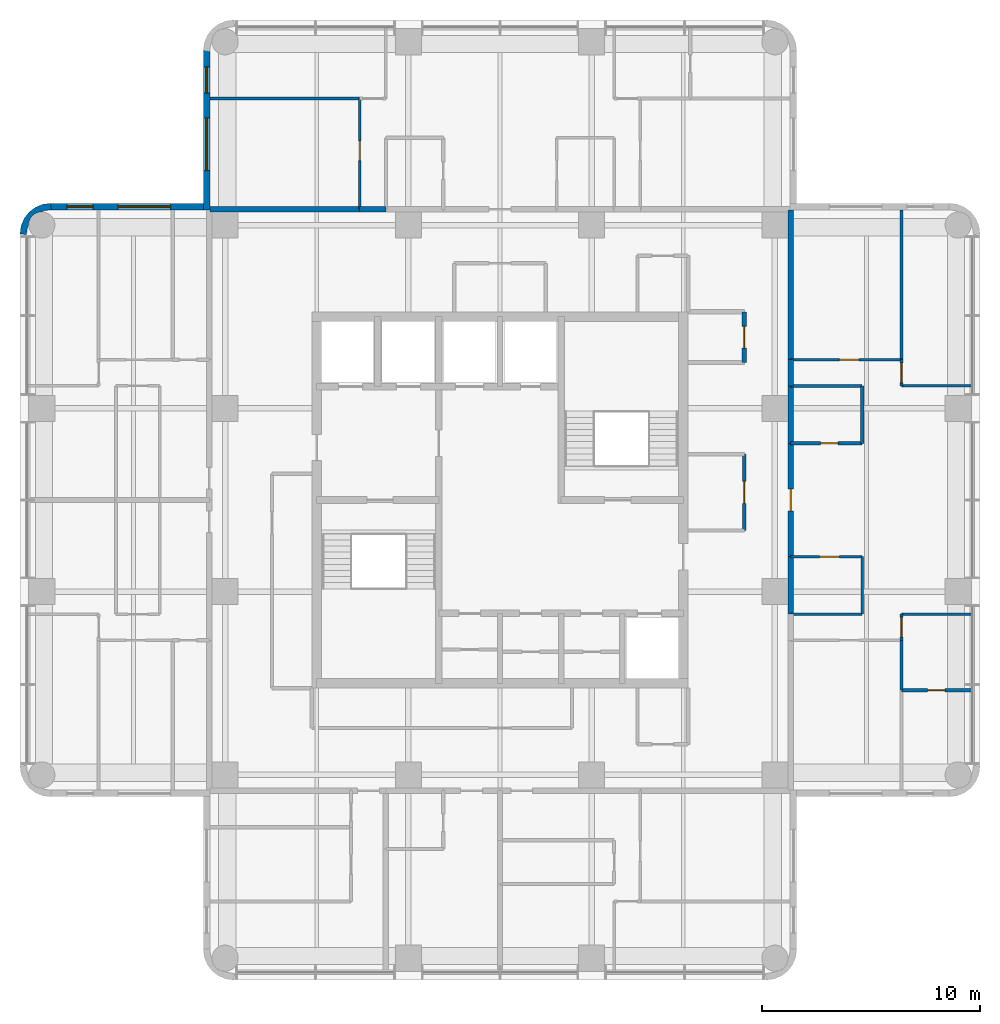
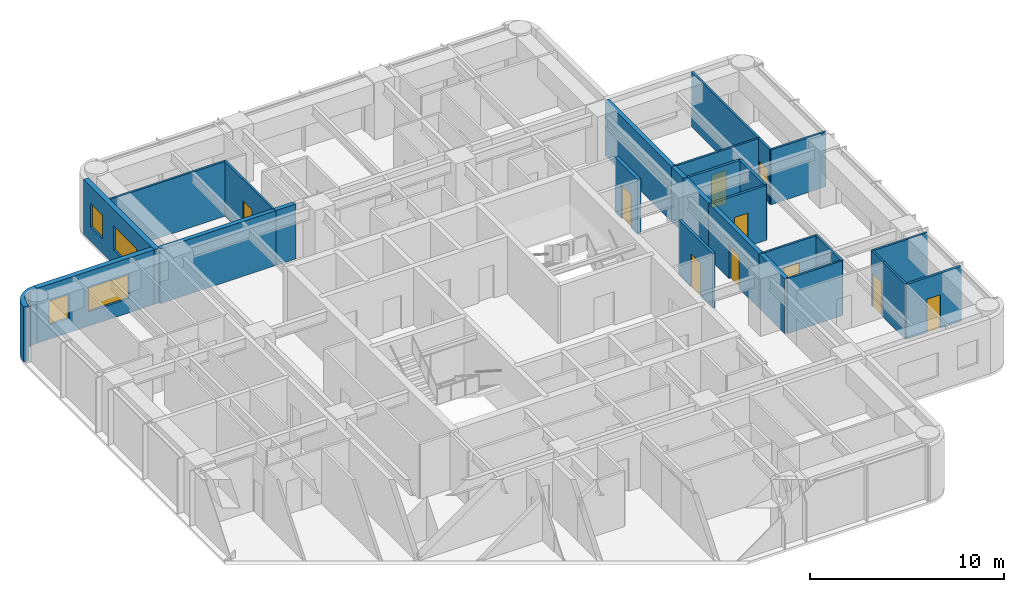
# One storey, part 7 of 10: 28 walls, 10 doors, 4 windows, 14 openings.
"""IFC4 building model written with IfcOpenShell, lengths in metres."""

from ifc_helpers import new_model, si_unit, direction, frame, frame_2d, origin, place, context, subcontext, project, spatial, polyline, rectangle, outline, extrude, material, layer, layer_set, type_object, element, fill, save


model = new_model("IFC4")

# Units and contexts
model_context = context("Model", 3, precision=1e-05, world=origin(), true_north=direction((0.0, 1.0)))
body_context = subcontext(model_context, "Body", "Model", "MODEL_VIEW")
ifc_project = project(units=[si_unit("LENGTHUNIT", "METRE"), si_unit("AREAUNIT", "SQUARE_METRE"), si_unit("VOLUMEUNIT", "CUBIC_METRE"), si_unit("PLANEANGLEUNIT", "RADIAN"), si_unit("MASSUNIT", "GRAM", prefix="KILO")], contexts=[model_context])

# Site, building, storey
site_placement = place(None, origin())
site = spatial("IfcSite", under=ifc_project, at=site_placement, CompositionType="ELEMENT")
building_placement = place(site_placement, origin())
building = spatial("IfcBuilding", under=site, at=building_placement, Name="Torre Alcanfor", CompositionType="ELEMENT")
storey_placement = place(building_placement, frame((0.0, 0.0, 264.89990234375)))
storey = spatial("IfcBuildingStorey", under=building, at=storey_placement, Name="L69", CompositionType="ELEMENT", Elevation=264.89990234375)

# Walls
ifc_material_1 = material(Name="Concrete block masonry, hollow blocks NMX-C-404 9 MPa", Category="masonry")
ifc_layer_1 = layer(ifc_material_1, 0.25)
ifc_layer_set_1 = layer_set([ifc_layer_1], Name="Apartment entrance wall 250 EI 60")
wall_type_1 = type_object("IfcWallType", Name="Apartment entrance wall 250 EI 60", PredefinedType="PARTITIONING", material=ifc_layer_set_1)
wall_1_placement = place(storey_placement, frame((22.970947265625, 42.72509765625, 0.0), z_axis=(0.0, 0.0, 1.0), x_axis=(1.0, 0.0, 0.0)))
element("IfcWall", 1, at=wall_1_placement, inside=storey, type_object=wall_type_1, Name="Partition L69-CORR / L69-NX-LIVING", PredefinedType="PARTITIONING", context=body_context, shape_type="SweptSolid", body=[
    extrude(rectangle(XDim=1.199951171875, YDim=0.25, at=frame_2d((0.60009765625, 0.0))), origin(), (0.0, 0.0, 1.0), 3.4501953125),
])
wall_2_placement = place(storey_placement, frame((16.10009765625, 42.72509765625, 0.0), z_axis=(0.0, 0.0, 1.0), x_axis=(1.0, 0.0, 0.0)))
element("IfcWall", 2, at=wall_2_placement, inside=storey, type_object=wall_type_1, Name="Partition L69-CORR / L69-NX-BED2", PredefinedType="PARTITIONING", context=body_context, shape_type="SweptSolid", body=[
    extrude(rectangle(XDim=6.870849609375, YDim=0.25, at=frame_2d((3.435546875, 0.0))), origin(), (0.0, 0.0, 1.0), 3.4501953125),
])

# Wall, opening, door
wall_3_placement = place(storey_placement, frame((42.72509765625, 32.0, 0.0), z_axis=(0.0, 0.0, 1.0), x_axis=(0.0, -1.0, 0.0)))
wall_3 = element("IfcWall", 3, at=wall_3_placement, inside=storey, type_object=wall_type_1, Name="Partition L69-CORR / L69-EX-ZAG", PredefinedType="PARTITIONING", context=body_context, shape_type="SweptSolid", body=[
    extrude(rectangle(XDim=5.199951171875, YDim=0.25, at=frame_2d((2.60009765625, 0.0))), origin(), (0.0, 0.0, 1.0), 3.4501953125),
])
opening_1_placement = place(wall_3_placement, frame((2.10009765625, 0.0, 0.0)))
opening_1 = element("IfcOpeningElement", 4, at=opening_1_placement, cuts=wall_3, Name="Opening D-A1", PredefinedType="OPENING", context=body_context, shape_type="SweptSolid", body=[
    extrude(rectangle(XDim=1.0, YDim=2.10009765625, at=frame_2d((0.5, 1.050048828125))), frame((0.0, 0.135009765625, 0.0), z_axis=(0.0, -1.0, 0.0), x_axis=(1.0, 0.0, 0.0)), (0.0, 0.0, 1.0), 0.27001953125),
])
ifc_material_2 = material(Name="Galvanised steel sheet ASTM A653", Category="steel")
door_type_1 = type_object("IfcDoorType", Name="Apartment entrance door FD60 1000x2100", OperationType="SINGLE_SWING_LEFT", PredefinedType="DOOR", material=ifc_material_2)
door_1_placement = place(opening_1_placement, origin())
door_1 = element("IfcDoor", 5, at=door_1_placement, inside=storey, type_object=door_type_1, Name="Apartment entrance L69-EX", OperationType="SINGLE_SWING_LEFT", OverallHeight=2.10009765625, OverallWidth=1.0, PredefinedType="DOOR", context=body_context, shape_type="SweptSolid", body=[
    extrude(rectangle(XDim=1.0, YDim=2.10009765625, at=frame_2d((0.5, 1.050048828125))), frame((0.0, 0.02490234375, 0.0), z_axis=(0.0, -1.0, 0.0), x_axis=(1.0, 0.0, 0.0)), (0.0, 0.0, 1.0), 0.050048828125),
])
fill(opening_1, door_1)

# Walls
wall_4_placement = place(storey_placement, frame((42.72509765625, 34.62890625, 0.0), z_axis=(0.0, 0.0, 1.0), x_axis=(0.0, -1.0, 0.0)))
element("IfcWall", 6, at=wall_4_placement, inside=storey, type_object=wall_type_1, Name="Partition L69-CORR / L69-EX-BATH2", PredefinedType="PARTITIONING", context=body_context, shape_type="SweptSolid", body=[
    extrude(rectangle(XDim=2.62890625, YDim=0.25, at=frame_2d((1.314453125, 0.0))), origin(), (0.0, 0.0, 1.0), 3.4501953125),
])
wall_5_placement = place(storey_placement, frame((42.72509765625, 26.800048828125, 0.0), z_axis=(0.0, 0.0, 1.0), x_axis=(0.0, -1.0, 0.0)))
element("IfcWall", 7, at=wall_5_placement, inside=storey, type_object=wall_type_1, Name="Partition L69-CORR / L69-EX-KITCHEN", PredefinedType="PARTITIONING", context=body_context, shape_type="SweptSolid", body=[
    extrude(rectangle(XDim=2.629150390625, YDim=0.25, at=frame_2d((1.314453125, 0.0))), origin(), (0.0, 0.0, 1.0), 3.4501953125),
])
wall_6_placement = place(storey_placement, frame((42.72509765625, 35.8291015625, 0.0), z_axis=(0.0, 0.0, 1.0), x_axis=(0.0, -1.0, 0.0)))
element("IfcWall", 8, at=wall_6_placement, inside=storey, type_object=wall_type_1, Name="Partition L69-CORR / L69-EX-LIVING", PredefinedType="PARTITIONING", context=body_context, shape_type="SweptSolid", body=[
    extrude(rectangle(XDim=1.2001953125, YDim=0.25, at=frame_2d((0.60009765625, 0.0))), origin(), (0.0, 0.0, 1.0), 3.4501953125),
])
wall_7_placement = place(storey_placement, frame((42.72509765625, 42.699951171875, 0.0), z_axis=(0.0, 0.0, 1.0), x_axis=(0.0, -1.0, 0.0)))
element("IfcWall", 9, at=wall_7_placement, inside=storey, type_object=wall_type_1, Name="Partition L69-CORR / L69-EX-BED2", PredefinedType="PARTITIONING", context=body_context, shape_type="SweptSolid", body=[
    extrude(rectangle(XDim=6.870849609375, YDim=0.25, at=frame_2d((3.435546875, 0.0))), origin(), (0.0, 0.0, 1.0), 3.4501953125),
])

# Wall, opening, door
ifc_material_3 = material(Name="Gypsum board on steel studs", Category="steel")
ifc_layer_2 = layer(ifc_material_3, 0.1201171875)
ifc_layer_set_2 = layer_set([ifc_layer_2], Name="Apartment partition 120")
wall_type_2 = type_object("IfcWallType", Name="Apartment partition 120", PredefinedType="PARTITIONING", material=ifc_layer_set_2)
wall_8_placement = place(storey_placement, frame((22.970947265625, 42.72509765625, 0.0), z_axis=(0.0, 0.0, 1.0), x_axis=(0.0, 1.0, 0.0)))
wall_8 = element("IfcWall", 10, at=wall_8_placement, inside=storey, type_object=wall_type_2, Name="Partition L69-NX-LIVING / L69-NX-BED2", PredefinedType="PARTITIONING", context=body_context, shape_type="SweptSolid", body=[
    extrude(rectangle(XDim=5.074951171875, YDim=0.1201171875, at=frame_2d((2.53759765625, 0.0))), origin(), (0.0, 0.0, 1.0), 3.4501953125),
])
opening_2_placement = place(wall_8_placement, frame((2.22509765625, 0.0, 0.0)))
opening_2 = element("IfcOpeningElement", 11, at=opening_2_placement, cuts=wall_8, Name="Opening D-R1", PredefinedType="OPENING", context=body_context, shape_type="SweptSolid", body=[
    extrude(rectangle(XDim=0.89990234375, YDim=2.10009765625, at=frame_2d((0.449951171875, 1.050048828125))), frame((0.0, 0.070068359375, 0.0), z_axis=(0.0, -1.0, 0.0), x_axis=(1.0, 0.0, 0.0)), (0.0, 0.0, 1.0), 0.14013671875),
])
ifc_material_4 = material(Name="Timber", Category="wood")
door_type_2 = type_object("IfcDoorType", Name="Internal door 900x2100", OperationType="SINGLE_SWING_LEFT", PredefinedType="DOOR", material=ifc_material_4)
door_2_placement = place(opening_2_placement, origin())
door_2 = element("IfcDoor", 12, at=door_2_placement, inside=storey, type_object=door_type_2, Name="Door L69-NX bed2", OperationType="SINGLE_SWING_RIGHT", OverallHeight=2.10009765625, OverallWidth=0.89990234375, PredefinedType="DOOR", context=body_context, shape_type="SweptSolid", body=[
    extrude(rectangle(XDim=0.89990234375, YDim=2.10009765625, at=frame_2d((0.449951171875, 1.050048828125))), frame((0.0, 0.02490234375, 0.0), z_axis=(0.0, -1.0, 0.0), x_axis=(1.0, 0.0, 0.0)), (0.0, 0.0, 1.0), 0.050048828125),
])
fill(opening_2, door_2)

# Wall
wall_9_placement = place(storey_placement, frame((22.970947265625, 47.800048828125, 0.0), z_axis=(0.0, 0.0, 1.0), x_axis=(-1.0, 0.0, 0.0)))
element("IfcWall", 13, at=wall_9_placement, inside=storey, type_object=wall_type_2, Name="Partition L69-NX-BED2 / L69-NX-MASTER", PredefinedType="PARTITIONING", context=body_context, shape_type="SweptSolid", body=[
    extrude(rectangle(XDim=6.870849609375, YDim=0.1201171875, at=frame_2d((3.435546875, 0.0))), origin(), (0.0, 0.0, 1.0), 3.4501953125),
])

# Wall, opening, door
wall_10_placement = place(storey_placement, frame((42.72509765625, 26.800048828125, 0.0), z_axis=(0.0, 0.0, 1.0), x_axis=(1.0, 0.0, 0.0)))
wall_10 = element("IfcWall", 14, at=wall_10_placement, inside=storey, type_object=wall_type_2, Name="Partition L69-EX-ZAG / L69-EX-KITCHEN", PredefinedType="PARTITIONING", context=body_context, shape_type="SweptSolid", body=[
    extrude(rectangle(XDim=3.27490234375, YDim=0.1201171875, at=frame_2d((1.637451171875, 0.0))), origin(), (0.0, 0.0, 1.0), 3.4501953125),
])
opening_3_placement = place(wall_10_placement, frame((1.324951171875, 0.0, 0.0)))
opening_3 = element("IfcOpeningElement", 15, at=opening_3_placement, cuts=wall_10, Name="Opening D-R1", PredefinedType="OPENING", context=body_context, shape_type="SweptSolid", body=[
    extrude(rectangle(XDim=0.89990234375, YDim=2.10009765625, at=frame_2d((0.449951171875, 1.050048828125))), frame((0.0, 0.070068359375, 0.0), z_axis=(0.0, -1.0, 0.0), x_axis=(1.0, 0.0, 0.0)), (0.0, 0.0, 1.0), 0.14013671875),
])
door_3_placement = place(opening_3_placement, frame((0.89990234375, 0.0, 0.0), z_axis=(0.0, 0.0, 1.0), x_axis=(-1.0, 0.0, 0.0)))
door_3 = element("IfcDoor", 16, at=door_3_placement, inside=storey, type_object=door_type_2, Name="Door L69-EX kitchen", OperationType="SINGLE_SWING_LEFT", OverallHeight=2.10009765625, OverallWidth=0.89990234375, PredefinedType="DOOR", context=body_context, shape_type="SweptSolid", body=[
    extrude(rectangle(XDim=0.89990234375, YDim=2.10009765625, at=frame_2d((0.449951171875, 1.050048828125))), frame((0.0, 0.025146484375, 0.0), z_axis=(0.0, -1.0, 0.0), x_axis=(1.0, 0.0, 0.0)), (0.0, 0.0, 1.0), 0.050048828125),
])
fill(opening_3, door_3)

# Walls
wall_11_placement = place(storey_placement, frame((42.72509765625, 24.1708984375, 0.0), z_axis=(0.0, 0.0, 1.0), x_axis=(1.0, 0.0, 0.0)))
element("IfcWall", 17, at=wall_11_placement, inside=storey, type_object=wall_type_2, Name="Partition L69-EX-KITCHEN / L69-EX-LIVING", PredefinedType="PARTITIONING", context=body_context, shape_type="SweptSolid", body=[
    extrude(rectangle(XDim=3.27490234375, YDim=0.1201171875, at=frame_2d((1.637451171875, 0.0))), origin(), (0.0, 0.0, 1.0), 3.4501953125),
])
wall_12_placement = place(storey_placement, frame((46.0, 24.1708984375, 0.0), z_axis=(0.0, 0.0, 1.0), x_axis=(0.0, 1.0, 0.0)))
element("IfcWall", 18, at=wall_12_placement, inside=storey, type_object=wall_type_2, Name="Partition L69-EX-KITCHEN / L69-EX-LIVING", PredefinedType="PARTITIONING", context=body_context, shape_type="SweptSolid", body=[
    extrude(rectangle(XDim=2.629150390625, YDim=0.1201171875, at=frame_2d((1.314453125, 0.0))), origin(), (0.0, 0.0, 1.0), 3.4501953125),
])

# Wall, opening, door
wall_13_placement = place(storey_placement, frame((42.72509765625, 35.8291015625, 0.0), z_axis=(0.0, 0.0, 1.0), x_axis=(1.0, 0.0, 0.0)))
wall_13 = element("IfcWall", 19, at=wall_13_placement, inside=storey, type_object=wall_type_2, Name="Partition L69-EX-LIVING / L69-EX-BED2", PredefinedType="PARTITIONING", context=body_context, shape_type="SweptSolid", body=[
    extrude(rectangle(XDim=5.074951171875, YDim=0.1201171875, at=frame_2d((2.53759765625, 0.0))), origin(), (0.0, 0.0, 1.0), 3.4501953125),
])
opening_4_placement = place(wall_13_placement, frame((2.22509765625, 0.0, 0.0)))
opening_4 = element("IfcOpeningElement", 20, at=opening_4_placement, cuts=wall_13, Name="Opening D-R1", PredefinedType="OPENING", context=body_context, shape_type="SweptSolid", body=[
    extrude(rectangle(XDim=0.89990234375, YDim=2.10009765625, at=frame_2d((0.449951171875, 1.050048828125))), frame((0.0, 0.070068359375, 0.0), z_axis=(0.0, -1.0, 0.0), x_axis=(1.0, 0.0, 0.0)), (0.0, 0.0, 1.0), 0.14013671875),
])
door_4_placement = place(opening_4_placement, origin())
door_4 = element("IfcDoor", 21, at=door_4_placement, inside=storey, type_object=door_type_2, Name="Door L69-EX bed2", OperationType="SINGLE_SWING_RIGHT", OverallHeight=2.10009765625, OverallWidth=0.89990234375, PredefinedType="DOOR", context=body_context, shape_type="SweptSolid", body=[
    extrude(rectangle(XDim=0.89990234375, YDim=2.10009765625, at=frame_2d((0.449951171875, 1.050048828125))), frame((0.0, 0.02490234375, 0.0), z_axis=(0.0, -1.0, 0.0), x_axis=(1.0, 0.0, 0.0)), (0.0, 0.0, 1.0), 0.050048828125),
])
fill(opening_4, door_4)

wall_14_placement = place(storey_placement, frame((47.800048828125, 35.8291015625, 0.0), z_axis=(0.0, 0.0, 1.0), x_axis=(0.0, -1.0, 0.0)))
wall_14 = element("IfcWall", 22, at=wall_14_placement, inside=storey, type_object=wall_type_2, Name="Partition L69-EX-LIVING / L69-EX-MASTER", PredefinedType="PARTITIONING", context=body_context, shape_type="SweptSolid", body=[
    extrude(rectangle(XDim=1.2001953125, YDim=0.1201171875, at=frame_2d((0.60009765625, 0.0))), origin(), (0.0, 0.0, 1.0), 3.4501953125),
])
opening_5_placement = place(wall_14_placement, frame((0.14892578125, 0.0, 0.0)))
opening_5 = element("IfcOpeningElement", 23, at=opening_5_placement, cuts=wall_14, Name="Opening D-R1", PredefinedType="OPENING", context=body_context, shape_type="SweptSolid", body=[
    extrude(rectangle(XDim=0.89990234375, YDim=2.10009765625, at=frame_2d((0.449951171875, 1.050048828125))), frame((0.0, 0.070068359375, 0.0), z_axis=(0.0, -1.0, 0.0), x_axis=(1.0, 0.0, 0.0)), (0.0, 0.0, 1.0), 0.14013671875),
])
door_5_placement = place(opening_5_placement, origin())
door_5 = element("IfcDoor", 24, at=door_5_placement, inside=storey, type_object=door_type_2, Name="Door L69-EX master", OperationType="SINGLE_SWING_RIGHT", OverallHeight=2.10009765625, OverallWidth=0.89990234375, PredefinedType="DOOR", context=body_context, shape_type="SweptSolid", body=[
    extrude(rectangle(XDim=0.89990234375, YDim=2.10009765625, at=frame_2d((0.449951171875, 1.050048828125))), frame((0.0, 0.02490234375, 0.0), z_axis=(0.0, -1.0, 0.0), x_axis=(1.0, 0.0, 0.0)), (0.0, 0.0, 1.0), 0.050048828125),
])
fill(opening_5, door_5)

# Walls
for number, where, z_axis, x_axis, name in (
    (25, (47.800048828125, 34.62890625, 0.0), (0.0, 0.0, 1.0), (1.0, 0.0, 0.0), "Partition L69-EX-LIVING / L69-EX-MASTER"),
    (26, (51.050048828125, 24.1708984375, 0.0), (0.0, 0.0, 1.0), (-1.0, 0.0, 0.0), "Partition L69-EX-LIVING / L69-EX-BED1"),
):
    element("IfcWall", number, at=place(storey_placement, frame(where, z_axis=z_axis, x_axis=x_axis)), inside=storey, type_object=wall_type_2, Name=name, PredefinedType="PARTITIONING", context=body_context, shape_type="SweptSolid", body=[
        extrude(rectangle(XDim=3.25, YDim=0.1201171875, at=frame_2d((1.625, 0.0))), origin(), (0.0, 0.0, 1.0), 3.4501953125),
    ])

# Wall, opening, door
wall_15_placement = place(storey_placement, frame((47.800048828125, 24.1708984375, 0.0), z_axis=(0.0, 0.0, 1.0), x_axis=(0.0, -1.0, 0.0)))
wall_15 = element("IfcWall", 27, at=wall_15_placement, inside=storey, type_object=wall_type_2, Name="Partition L69-EX-LIVING / L69-EX-BED1", PredefinedType="PARTITIONING", context=body_context, shape_type="SweptSolid", body=[
    extrude(rectangle(XDim=1.199951171875, YDim=0.1201171875, at=frame_2d((0.60009765625, 0.0))), origin(), (0.0, 0.0, 1.0), 3.4501953125),
])
opening_6_placement = place(wall_15_placement, frame((0.15087890625, 0.0, 0.0)))
opening_6 = element("IfcOpeningElement", 28, at=opening_6_placement, cuts=wall_15, Name="Opening D-R1", PredefinedType="OPENING", context=body_context, shape_type="SweptSolid", body=[
    extrude(rectangle(XDim=0.89990234375, YDim=2.10009765625, at=frame_2d((0.449951171875, 1.050048828125))), frame((0.0, 0.070068359375, 0.0), z_axis=(0.0, -1.0, 0.0), x_axis=(1.0, 0.0, 0.0)), (0.0, 0.0, 1.0), 0.14013671875),
])
door_6_placement = place(opening_6_placement, origin())
door_6 = element("IfcDoor", 29, at=door_6_placement, inside=storey, type_object=door_type_2, Name="Door L69-EX bed1", OperationType="SINGLE_SWING_LEFT", OverallHeight=2.10009765625, OverallWidth=0.89990234375, PredefinedType="DOOR", context=body_context, shape_type="SweptSolid", body=[
    extrude(rectangle(XDim=0.89990234375, YDim=2.10009765625, at=frame_2d((0.449951171875, 1.050048828125))), frame((0.0, 0.02490234375, 0.0), z_axis=(0.0, -1.0, 0.0), x_axis=(1.0, 0.0, 0.0)), (0.0, 0.0, 1.0), 0.050048828125),
])
fill(opening_6, door_6)

# Walls
wall_16_placement = place(storey_placement, frame((47.800048828125, 35.8291015625, 0.0), z_axis=(0.0, 0.0, 1.0), x_axis=(0.0, 1.0, 0.0)))
element("IfcWall", 30, at=wall_16_placement, inside=storey, type_object=wall_type_2, Name="Partition L69-EX-BED2 / L69-EX-MASTER", PredefinedType="PARTITIONING", context=body_context, shape_type="SweptSolid", body=[
    extrude(rectangle(XDim=6.870849609375, YDim=0.1201171875, at=frame_2d((3.435546875, 0.0))), origin(), (0.0, 0.0, 1.0), 3.4501953125),
])
wall_17_placement = place(storey_placement, frame((47.800048828125, 20.68603515625, 0.0), z_axis=(0.0, 0.0, 1.0), x_axis=(0.0, 1.0, 0.0)))
element("IfcWall", 31, at=wall_17_placement, inside=storey, type_object=wall_type_2, Name="Partition L69-EX-BED3 / L69-EX-BED1", PredefinedType="PARTITIONING", context=body_context, shape_type="SweptSolid", body=[
    extrude(rectangle(XDim=2.284912109375, YDim=0.1201171875, at=frame_2d((1.142578125, 0.0))), origin(), (0.0, 0.0, 1.0), 3.4501953125),
])

# Wall, openings, windows
ifc_material_5 = material(Name="Limestone cladding", Category="masonry")
ifc_layer_3 = layer(ifc_material_5, 0.0400390625, Name="Facing")
ifc_material_6 = material(Name="Ventilated air cavity")
ifc_layer_4 = layer(ifc_material_6, 0.02001953125, ventilated=True, Name="Ventilated joint")
ifc_material_7 = material(Name="Mineral wool insulation", Category="insulation")
ifc_layer_5 = layer(ifc_material_7, 0.10009765625, Name="Insulation")
ifc_material_8 = material(Name="Concrete f'c 35 MPa", Category="concrete")
ifc_layer_6 = layer(ifc_material_8, 0.139892578125, Name="Backing")
ifc_layer_set_3 = layer_set([ifc_layer_3, ifc_layer_4, ifc_layer_5, ifc_layer_6], Name="External wall stone-clad 300")
wall_type_3 = type_object("IfcWallType", Name="External wall stone-clad 300", PredefinedType="SOLIDWALL", material=ifc_layer_set_3)
wall_18_placement = place(storey_placement, frame((15.800048828125, 42.85009765625, 0.0), z_axis=(0.0, 0.0, 1.0), x_axis=(-1.0, 0.0, 0.0)))
wall_18 = element("IfcWall", 32, at=wall_18_placement, inside=storey, type_object=wall_type_3, Name="External wall L69 1", PredefinedType="SOLIDWALL", context=body_context, shape_type="SweptSolid", body=[
    extrude(rectangle(XDim=7.0, YDim=0.300048828125, at=frame_2d((3.5, 0.0))), origin(), (0.0, 0.0, 1.0), 3.4501953125),
])
opening_7_placement = place(wall_18_placement, frame((1.5, 0.0, 0.89990234375)))
opening_7 = element("IfcOpeningElement", 33, at=opening_7_placement, cuts=wall_18, Name="Opening W1", PredefinedType="OPENING", context=body_context, shape_type="SweptSolid", body=[
    extrude(rectangle(XDim=2.39990234375, YDim=1.5, at=frame_2d((1.199951171875, 0.75))), frame((0.0, 0.159912109375, 0.0), z_axis=(0.0, -1.0, 0.0), x_axis=(1.0, 0.0, 0.0)), (0.0, 0.0, 1.0), 0.320068359375),
])
opening_8_placement = place(wall_18_placement, frame((5.050048828125, 0.0, 0.89990234375)))
opening_8 = element("IfcOpeningElement", 34, at=opening_8_placement, cuts=wall_18, Name="Opening W4", PredefinedType="OPENING", context=body_context, shape_type="SweptSolid", body=[
    extrude(rectangle(XDim=1.199951171875, YDim=1.5, at=frame_2d((0.60009765625, 0.75))), frame((0.0, 0.159912109375, 0.0), z_axis=(0.0, -1.0, 0.0), x_axis=(1.0, 0.0, 0.0)), (0.0, 0.0, 1.0), 0.320068359375),
])
ifc_material_9 = material(Name="Aluminium frame with clear double glazing", Category="aluminium")
window_type_1 = type_object("IfcWindowType", Name="Window bedroom 1200x1500", PartitioningType="SINGLE_PANEL", PredefinedType="WINDOW", material=ifc_material_9)
window_1_placement = place(opening_8_placement, origin())
window_1 = element("IfcWindow", 35, at=window_1_placement, inside=storey, type_object=window_type_1, Name="Window W4 L69-W2", OverallHeight=1.5, OverallWidth=1.199951171875, PartitioningType="SINGLE_PANEL", PredefinedType="WINDOW", context=body_context, shape_type="SweptSolid", body=[
    extrude(rectangle(XDim=1.199951171875, YDim=1.5, at=frame_2d((0.60009765625, 0.75))), frame((0.0, 0.030029296875, 0.0), z_axis=(0.0, -1.0, 0.0), x_axis=(1.0, 0.0, 0.0)), (0.0, 0.0, 1.0), 0.06005859375),
])
fill(opening_8, window_1)
ifc_material_10 = material(Name="Aluminium frame with clear double glazing", Category="aluminium")
window_type_2 = type_object("IfcWindowType", Name="Window bedroom 2400x1500", PartitioningType="SINGLE_PANEL", PredefinedType="WINDOW", material=ifc_material_10)
window_2_placement = place(opening_7_placement, origin())
window_2 = element("IfcWindow", 36, at=window_2_placement, inside=storey, type_object=window_type_2, Name="Window W1 L69-W2", OverallHeight=1.5, OverallWidth=2.39990234375, PartitioningType="SINGLE_PANEL", PredefinedType="WINDOW", context=body_context, shape_type="SweptSolid", body=[
    extrude(rectangle(XDim=2.39990234375, YDim=1.5, at=frame_2d((1.199951171875, 0.75))), frame((0.0, 0.030029296875, 0.0), z_axis=(0.0, -1.0, 0.0), x_axis=(1.0, 0.0, 0.0)), (0.0, 0.0, 1.0), 0.06005859375),
])
fill(opening_7, window_2)

wall_19_placement = place(storey_placement, frame((15.949951171875, 50.0, 0.0), z_axis=(0.0, 0.0, 1.0), x_axis=(0.0, -1.0, 0.0)))
wall_19 = element("IfcWall", 37, at=wall_19_placement, inside=storey, type_object=wall_type_3, Name="External wall L69 12", PredefinedType="SOLIDWALL", context=body_context, shape_type="SweptSolid", body=[
    extrude(rectangle(XDim=7.300048828125, YDim=0.300048828125, at=frame_2d((3.64990234375, 0.0))), origin(), (0.0, 0.0, 1.0), 3.4501953125),
])
opening_9_placement = place(wall_19_placement, frame((3.10009765625, 0.0, 0.89990234375)))
opening_9 = element("IfcOpeningElement", 38, at=opening_9_placement, cuts=wall_19, Name="Opening W1", PredefinedType="OPENING", context=body_context, shape_type="SweptSolid", body=[
    extrude(rectangle(XDim=2.39990234375, YDim=1.5, at=frame_2d((1.199951171875, 0.75))), frame((0.0, 0.159912109375, 0.0), z_axis=(0.0, -1.0, 0.0), x_axis=(1.0, 0.0, 0.0)), (0.0, 0.0, 1.0), 0.320068359375),
])
opening_10_placement = place(wall_19_placement, frame((0.75, 0.0, 0.89990234375)))
opening_10 = element("IfcOpeningElement", 39, at=opening_10_placement, cuts=wall_19, Name="Opening W4", PredefinedType="OPENING", context=body_context, shape_type="SweptSolid", body=[
    extrude(rectangle(XDim=1.199951171875, YDim=1.5, at=frame_2d((0.60009765625, 0.75))), frame((0.0, 0.159912109375, 0.0), z_axis=(0.0, -1.0, 0.0), x_axis=(1.0, 0.0, 0.0)), (0.0, 0.0, 1.0), 0.320068359375),
])
window_3_placement = place(opening_10_placement, origin())
window_3 = element("IfcWindow", 40, at=window_3_placement, inside=storey, type_object=window_type_1, Name="Window W4 L69-N1", OverallHeight=1.5, OverallWidth=1.199951171875, PartitioningType="SINGLE_PANEL", PredefinedType="WINDOW", context=body_context, shape_type="SweptSolid", body=[
    extrude(rectangle(XDim=1.199951171875, YDim=1.5, at=frame_2d((0.60009765625, 0.75))), frame((0.0, 0.030029296875, 0.0), z_axis=(0.0, -1.0, 0.0), x_axis=(1.0, 0.0, 0.0)), (0.0, 0.0, 1.0), 0.06005859375),
])
fill(opening_10, window_3)
window_4_placement = place(opening_9_placement, origin())
window_4 = element("IfcWindow", 41, at=window_4_placement, inside=storey, type_object=window_type_2, Name="Window W1 L69-N1", OverallHeight=1.5, OverallWidth=2.39990234375, PartitioningType="SINGLE_PANEL", PredefinedType="WINDOW", context=body_context, shape_type="SweptSolid", body=[
    extrude(rectangle(XDim=2.39990234375, YDim=1.5, at=frame_2d((1.199951171875, 0.75))), frame((0.0, 0.030029296875, 0.0), z_axis=(0.0, -1.0, 0.0), x_axis=(1.0, 0.0, 0.0)), (0.0, 0.0, 1.0), 0.06005859375),
])
fill(opening_9, window_4)

# Wall, opening, door
ifc_material_11 = material(Name="Concrete block masonry, hollow blocks NMX-C-404 9 MPa", Category="masonry")
ifc_layer_7 = layer(ifc_material_11, 0.199951171875)
ifc_layer_set_4 = layer_set([ifc_layer_7], Name="Plant room wall 200 EI 60")
wall_type_4 = type_object("IfcWallType", Name="Plant room wall 200 EI 60", PredefinedType="PARTITIONING", material=ifc_layer_set_4)
wall_20_placement = place(storey_placement, frame((40.60009765625, 35.699951171875, 0.0), z_axis=(0.0, 0.0, 1.0), x_axis=(0.0, 1.0, 0.0)))
wall_20 = element("IfcWall", 42, at=wall_20_placement, inside=storey, type_object=wall_type_4, Name="Partition L69-CORR / L69-G04", PredefinedType="PARTITIONING", context=body_context, shape_type="SweptSolid", body=[
    extrude(rectangle(XDim=2.324951171875, YDim=0.199951171875, at=frame_2d((1.16259765625, 0.0))), origin(), (0.0, 0.0, 1.0), 3.4501953125),
])
opening_11_placement = place(wall_20_placement, frame((0.66259765625, 0.0, 0.0)))
opening_11 = element("IfcOpeningElement", 43, at=opening_11_placement, cuts=wall_20, Name="Opening D-K1", PredefinedType="OPENING", context=body_context, shape_type="SweptSolid", body=[
    extrude(rectangle(XDim=1.0, YDim=2.10009765625, at=frame_2d((0.5, 1.050048828125))), frame((0.0, 0.10986328125, 0.0), z_axis=(0.0, -1.0, 0.0), x_axis=(1.0, 0.0, 0.0)), (0.0, 0.0, 1.0), 0.219970703125),
])
ifc_material_12 = material(Name="Galvanised steel sheet ASTM A653", Category="steel")
door_type_3 = type_object("IfcDoorType", Name="Core room door FD60 1000x2100", OperationType="SINGLE_SWING_LEFT", PredefinedType="DOOR", material=ifc_material_12)
door_7_placement = place(opening_11_placement, origin())
door_7 = element("IfcDoor", 44, at=door_7_placement, inside=storey, type_object=door_type_3, Name="Door L69-G04 refuse and recycling store", OperationType="SINGLE_SWING_LEFT", OverallHeight=2.10009765625, OverallWidth=1.0, PredefinedType="DOOR", context=body_context, shape_type="SweptSolid", body=[
    extrude(rectangle(XDim=1.0, YDim=2.10009765625, at=frame_2d((0.5, 1.050048828125))), frame((0.0, 0.02490234375, 0.0), z_axis=(0.0, -1.0, 0.0), x_axis=(1.0, 0.0, 0.0)), (0.0, 0.0, 1.0), 0.050048828125),
])
fill(opening_11, door_7)

ifc_material_13 = material(Name="Concrete block masonry, hollow blocks NMX-C-404 9 MPa", Category="masonry")
ifc_layer_8 = layer(ifc_material_13, 0.14990234375)
ifc_layer_set_5 = layer_set([ifc_layer_8], Name="Residents' room partition 150")
wall_type_5 = type_object("IfcWallType", Name="Residents' room partition 150", PredefinedType="PARTITIONING", material=ifc_layer_set_5)
wall_21_placement = place(storey_placement, frame((40.60009765625, 28.0, 0.0), z_axis=(0.0, 0.0, 1.0), x_axis=(0.0, 1.0, 0.0)))
wall_21 = element("IfcWall", 45, at=wall_21_placement, inside=storey, type_object=wall_type_5, Name="Partition L69-CORR / L69-G03", PredefinedType="PARTITIONING", context=body_context, shape_type="SweptSolid", body=[
    extrude(rectangle(XDim=3.5, YDim=0.14990234375, at=frame_2d((1.75, 0.0))), origin(), (0.0, 0.0, 1.0), 3.4501953125),
])
opening_12_placement = place(wall_21_placement, frame((1.25, 0.0, 0.0)))
opening_12 = element("IfcOpeningElement", 46, at=opening_12_placement, cuts=wall_21, Name="Opening D-M1", PredefinedType="OPENING", context=body_context, shape_type="SweptSolid", body=[
    extrude(rectangle(XDim=1.0, YDim=2.10009765625, at=frame_2d((0.5, 1.050048828125))), frame((0.0, 0.0849609375, 0.0), z_axis=(0.0, -1.0, 0.0), x_axis=(1.0, 0.0, 0.0)), (0.0, 0.0, 1.0), 0.169921875),
])
ifc_material_14 = material(Name="Timber", Category="wood")
door_type_4 = type_object("IfcDoorType", Name="Residents' room door 1000x2100", OperationType="SINGLE_SWING_LEFT", PredefinedType="DOOR", material=ifc_material_14)
door_8_placement = place(opening_12_placement, origin())
door_8 = element("IfcDoor", 47, at=door_8_placement, inside=storey, type_object=door_type_4, Name="Door L69-G03 residents' lockers", OperationType="SINGLE_SWING_LEFT", OverallHeight=2.10009765625, OverallWidth=1.0, PredefinedType="DOOR", context=body_context, shape_type="SweptSolid", body=[
    extrude(rectangle(XDim=1.0, YDim=2.10009765625, at=frame_2d((0.5, 1.050048828125))), frame((0.0, 0.02490234375, 0.0), z_axis=(0.0, -1.0, 0.0), x_axis=(1.0, 0.0, 0.0)), (0.0, 0.0, 1.0), 0.050048828125),
])
fill(opening_12, door_8)

# Wall
ifc_layer_9 = layer(ifc_material_5, 0.0400390625, Name="Facing")
ifc_layer_10 = layer(ifc_material_6, 0.02001953125, ventilated=True, Name="Ventilated joint")
ifc_layer_11 = layer(ifc_material_7, 0.10009765625, Name="Insulation")
ifc_layer_12 = layer(ifc_material_8, 0.139892578125, Name="Backing")
ifc_layer_set_6 = layer_set([ifc_layer_9, ifc_layer_10, ifc_layer_11, ifc_layer_12], Name="Rounded corner pier stone-clad 300")
wall_type_6 = type_object("IfcWallType", Name="Rounded corner pier stone-clad 300", PredefinedType="SOLIDWALL", material=ifc_layer_set_6)
wall_22_placement = place(storey_placement, frame((8.761581746, 42.575898117, 0.0), z_axis=(0.0, 0.0, 1.0), x_axis=(-0.707106781187, 0.707106781187, 0.0)))
element("IfcWall", 48, at=wall_22_placement, inside=storey, type_object=wall_type_6, Name="Corner pier L69 13", PredefinedType="SOLIDWALL", context=body_context, shape_type="SweptSolid", body=[
    extrude(outline(polyline([(0.23297927971509194, 0.11416555226925892), (0.04670774238592084, -0.12872977027211618), (0.032551796082869844, -0.1428857165751672), (0.27268498276023495, -0.32708565200633083), (0.49520955330453675, -0.03723401977678656), (0.6350426814200405, 0.3004370895984301), (0.6826895250742122, 0.6629674217497361), (0.6350426814200405, 1.025152486918041), (0.49520955330453664, 1.3628235962932576), (0.27285761625173566, 1.6528478620143026), (0.032724429574370495, 1.468647926583139), (0.0467077423859209, 1.4546646137715884), (0.23315191320659262, 1.2115966577387127), (0.29219256729980525, 1.0690013937591991), (0.3577932940700416, 1.0034006669889626), (0.44946167805687187, 0.7826024313596671), (0.44946167805687187, 0.5433324121398051), (0.3579659275615422, 0.322361543019009), (0.29219256729980525, 0.256588182757272), (0.23297927971509194, 0.11416555226925892)])), origin(), (0.0, 0.0, 1.0), 3.4501953125),
])

# Wall, opening, door
ifc_material_15 = material(Name="Cement board on steel studs", Category="steel")
ifc_layer_13 = layer(ifc_material_15, 0.14990234375)
ifc_layer_set_7 = layer_set([ifc_layer_13], Name="Wet area partition 150")
wall_type_7 = type_object("IfcWallType", Name="Wet area partition 150", PredefinedType="PARTITIONING", material=ifc_layer_set_7)
wall_23_placement = place(storey_placement, frame((46.0, 32.0, 0.0), z_axis=(0.0, 0.0, 1.0), x_axis=(-1.0, 0.0, 0.0)))
wall_23 = element("IfcWall", 49, at=wall_23_placement, inside=storey, type_object=wall_type_7, Name="Partition L69-EX-ZAG / L69-EX-BATH2", PredefinedType="PARTITIONING", context=body_context, shape_type="SweptSolid", body=[
    extrude(rectangle(XDim=3.27490234375, YDim=0.14990234375, at=frame_2d((1.637451171875, 0.0))), origin(), (0.0, 0.0, 1.0), 3.4501953125),
])
opening_13_placement = place(wall_23_placement, frame((1.10009765625, 0.0, 0.0)))
opening_13 = element("IfcOpeningElement", 50, at=opening_13_placement, cuts=wall_23, Name="Opening D-R2", PredefinedType="OPENING", context=body_context, shape_type="SweptSolid", body=[
    extrude(rectangle(XDim=0.800048828125, YDim=2.10009765625, at=frame_2d((0.39990234375, 1.050048828125))), frame((0.0, 0.0849609375, 0.0), z_axis=(0.0, -1.0, 0.0), x_axis=(1.0, 0.0, 0.0)), (0.0, 0.0, 1.0), 0.169921875),
])
ifc_material_16 = material(Name="Timber", Category="wood")
door_type_5 = type_object("IfcDoorType", Name="Bathroom door 800x2100", OperationType="SINGLE_SWING_LEFT", PredefinedType="DOOR", material=ifc_material_16)
door_9_placement = place(opening_13_placement, frame((0.800048828125, 0.0, 0.0), z_axis=(0.0, 0.0, 1.0), x_axis=(-1.0, 0.0, 0.0)))
door_9 = element("IfcDoor", 51, at=door_9_placement, inside=storey, type_object=door_type_5, Name="Door L69-EX bath2", OperationType="SINGLE_SWING_RIGHT", OverallHeight=2.10009765625, OverallWidth=0.800048828125, PredefinedType="DOOR", context=body_context, shape_type="SweptSolid", body=[
    extrude(rectangle(XDim=0.800048828125, YDim=2.10009765625, at=frame_2d((0.400146484375, 1.050048828125))), frame((0.0, 0.025146484375, 0.0), z_axis=(0.0, -1.0, 0.0), x_axis=(1.0, 0.0, 0.0)), (0.0, 0.0, 1.0), 0.050048828125),
])
fill(opening_13, door_9)

# Walls
wall_24_placement = place(storey_placement, frame((46.0, 32.0, 0.0), z_axis=(0.0, 0.0, 1.0), x_axis=(0.0, 1.0, 0.0)))
element("IfcWall", 52, at=wall_24_placement, inside=storey, type_object=wall_type_7, Name="Partition L69-EX-BATH2 / L69-EX-LIVING", PredefinedType="PARTITIONING", context=body_context, shape_type="SweptSolid", body=[
    extrude(rectangle(XDim=2.62890625, YDim=0.14990234375, at=frame_2d((1.314453125, 0.0))), origin(), (0.0, 0.0, 1.0), 3.4501953125),
])
wall_25_placement = place(storey_placement, frame((46.0, 34.62890625, 0.0), z_axis=(0.0, 0.0, 1.0), x_axis=(-1.0, 0.0, 0.0)))
element("IfcWall", 53, at=wall_25_placement, inside=storey, type_object=wall_type_7, Name="Partition L69-EX-BATH2 / L69-EX-LIVING", PredefinedType="PARTITIONING", context=body_context, shape_type="SweptSolid", body=[
    extrude(rectangle(XDim=3.27490234375, YDim=0.14990234375, at=frame_2d((1.637451171875, 0.0))), origin(), (0.0, 0.0, 1.0), 3.4501953125),
])

# Wall, opening, door
wall_26_placement = place(storey_placement, frame((51.050048828125, 20.68603515625, 0.0), z_axis=(0.0, 0.0, 1.0), x_axis=(-1.0, 0.0, 0.0)))
wall_26 = element("IfcWall", 54, at=wall_26_placement, inside=storey, type_object=wall_type_7, Name="Partition L69-EX-BATH1 / L69-EX-BED1", PredefinedType="PARTITIONING", context=body_context, shape_type="SweptSolid", body=[
    extrude(rectangle(XDim=3.25, YDim=0.14990234375, at=frame_2d((1.625, 0.0))), origin(), (0.0, 0.0, 1.0), 3.4501953125),
])
opening_14_placement = place(wall_26_placement, frame((1.25, 0.0, 0.0)))
opening_14 = element("IfcOpeningElement", 55, at=opening_14_placement, cuts=wall_26, Name="Opening D-R2", PredefinedType="OPENING", context=body_context, shape_type="SweptSolid", body=[
    extrude(rectangle(XDim=0.800048828125, YDim=2.10009765625, at=frame_2d((0.39990234375, 1.050048828125))), frame((0.0, 0.0849609375, 0.0), z_axis=(0.0, -1.0, 0.0), x_axis=(1.0, 0.0, 0.0)), (0.0, 0.0, 1.0), 0.169921875),
])
door_10_placement = place(opening_14_placement, frame((0.800048828125, 0.0, 0.0), z_axis=(0.0, 0.0, 1.0), x_axis=(-1.0, 0.0, 0.0)))
door_10 = element("IfcDoor", 56, at=door_10_placement, inside=storey, type_object=door_type_5, Name="Door L69-EX bath1", OperationType="SINGLE_SWING_LEFT", OverallHeight=2.10009765625, OverallWidth=0.800048828125, PredefinedType="DOOR", context=body_context, shape_type="SweptSolid", body=[
    extrude(rectangle(XDim=0.800048828125, YDim=2.10009765625, at=frame_2d((0.400146484375, 1.050048828125))), frame((0.0, 0.025146484375, 0.0), z_axis=(0.0, -1.0, 0.0), x_axis=(1.0, 0.0, 0.0)), (0.0, 0.0, 1.0), 0.050048828125),
])
fill(opening_14, door_10)

save(model, "model.ifc")
